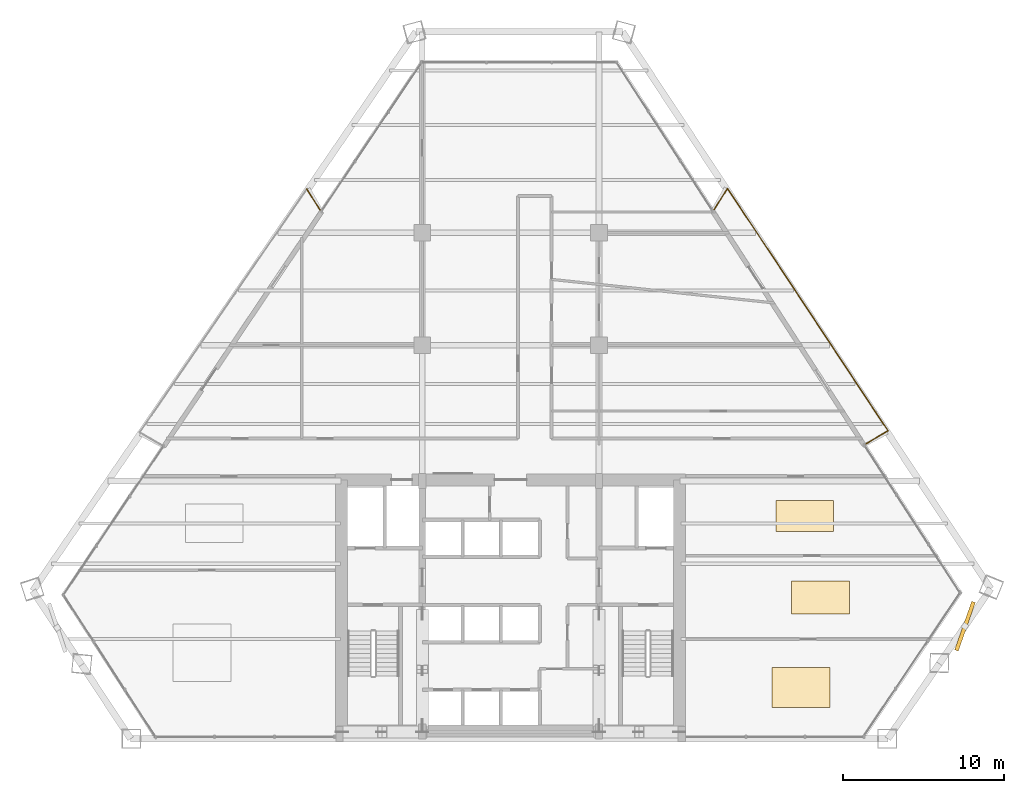
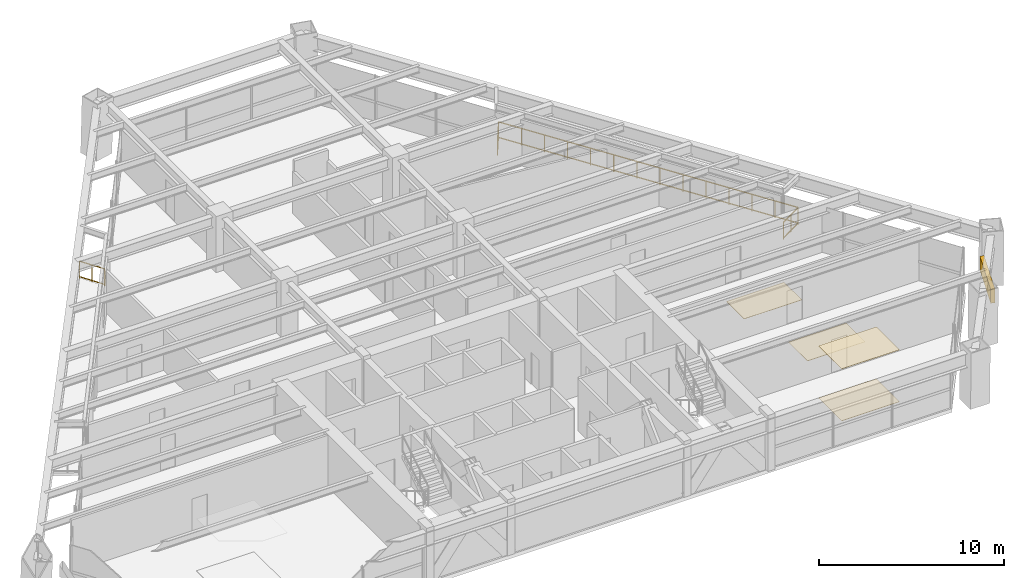
# One storey, part 14 of 14: 4 coverings, 4 railings, 1 shading device.
"""IFC4 building model written with IfcOpenShell, lengths in metres."""

from ifc_helpers import new_model, si_unit, direction, frame, origin, origin_2d, place, context, subcontext, project, spatial, rectangle, extrude, source, transform, mapped, material, layer, layer_set, type_object, type_shapes, element, save


model = new_model("IFC4")

# Units and contexts
model_context = context("Model", 3, precision=1e-05, world=origin(), true_north=direction((0.0, 1.0)))
body_context = subcontext(model_context, "Body", "Model", "MODEL_VIEW")
ifc_project = project(units=[si_unit("LENGTHUNIT", "METRE"), si_unit("AREAUNIT", "SQUARE_METRE"), si_unit("VOLUMEUNIT", "CUBIC_METRE"), si_unit("PLANEANGLEUNIT", "RADIAN"), si_unit("MASSUNIT", "GRAM", prefix="KILO")], contexts=[model_context])

# Site, building, storey
site_placement = place(None, origin())
site = spatial("IfcSite", under=ifc_project, at=site_placement, CompositionType="ELEMENT")
building_placement = place(site_placement, origin())
building = spatial("IfcBuilding", under=site, at=building_placement, Name="Varnakhor Terracotta Tower", CompositionType="ELEMENT")
storey_placement = place(building_placement, frame((0.0, 0.0, 95.10009765625)))
storey = spatial("IfcBuildingStorey", under=building, at=storey_placement, Name="L23", CompositionType="ELEMENT", Elevation=95.10009765625)

# Railings
ifc_material_1 = material(Name="Stainless Steel & Laminated Glass Guardrail", Category="steel")
railing_type = type_object("IfcRailingType", Name="RLG-LOGGIA-GUARD-1150", PredefinedType="GUARDRAIL", material=ifc_material_1)
railing_1_placement = place(storey_placement, frame((12.67529296875, 32.9453125, 0.0)))
element("IfcRailing", 1, at=railing_1_placement, inside=storey, type_object=railing_type, Name="L23 E Loggia Glass Guard 1", PredefinedType="GUARDRAIL", context=body_context, shape_type="SweptSolid", body=[
    extrude(rectangle(XDim=0.048095703125, YDim=0.048095703125, at=origin_2d()), frame((0.0, 0.0, 1.1259765625), z_axis=(0.528193883058, 0.849123796569, 0.0), x_axis=(-0.849123796569, 0.528193883058, 0.0)), (0.0, 0.0, 1.0), 1.55712890625),
    extrude(rectangle(XDim=0.048095703125, YDim=0.048095703125, at=origin_2d()), frame((0.0, 0.0, 0.10009765625), z_axis=(0.528193883058, 0.849123796569, 0.0), x_axis=(-0.849123796569, 0.528193883058, 0.0)), (0.0, 0.0, 1.0), 1.55712890625),
    extrude(rectangle(XDim=0.0419921875, YDim=0.0419921875, at=origin_2d()), origin(), (0.0, 0.0, 1.0), 1.101806640625),
    extrude(rectangle(XDim=0.0419921875, YDim=0.0419921875, at=origin_2d()), frame((0.4111328125, 0.6611328125, 0.0)), (0.0, 0.0, 1.0), 1.101806640625),
    extrude(rectangle(XDim=0.0419921875, YDim=0.0419921875, at=origin_2d()), frame((0.822509765625, 1.322265625, 0.0)), (0.0, 0.0, 1.0), 1.101806640625),
])
railing_2_placement = place(storey_placement, frame((13.497802734375, 34.267578125, 0.0)))
element("IfcRailing", 2, at=railing_2_placement, inside=storey, type_object=railing_type, Name="L23 E Loggia Glass Guard 2", PredefinedType="GUARDRAIL", context=body_context, shape_type="SweptSolid", body=[
    extrude(rectangle(XDim=0.048095703125, YDim=0.048095703125, at=origin_2d()), frame((0.0, 0.0, 1.1259765625), z_axis=(0.552179698662, -0.833725122799, 0.0), x_axis=(0.833725122799, 0.552179698662, 0.0)), (0.0, 0.0, 1.0), 18.1015625),
    extrude(rectangle(XDim=0.048095703125, YDim=0.048095703125, at=origin_2d()), frame((0.0, 0.0, 0.10009765625), z_axis=(0.552179698662, -0.833725122799, 0.0), x_axis=(0.833725122799, 0.552179698662, 0.0)), (0.0, 0.0, 1.0), 18.1015625),
    extrude(rectangle(XDim=0.0419921875, YDim=0.0419921875, at=origin_2d()), origin(), (0.0, 0.0, 1.0), 1.101806640625),
    extrude(rectangle(XDim=0.0419921875, YDim=0.0419921875, at=origin_2d()), frame((0.768798828125, -1.160888671875, 0.0)), (0.0, 0.0, 1.0), 1.101806640625),
    extrude(rectangle(XDim=0.0419921875, YDim=0.0419921875, at=origin_2d()), frame((1.537841796875, -2.32177734375, 0.0)), (0.0, 0.0, 1.0), 1.101806640625),
    extrude(rectangle(XDim=0.0419921875, YDim=0.0419921875, at=origin_2d()), frame((2.306640625, -3.482666015625, 0.0)), (0.0, 0.0, 1.0), 1.101806640625),
    extrude(rectangle(XDim=0.0419921875, YDim=0.0419921875, at=origin_2d()), frame((3.075439453125, -4.6435546875, 0.0)), (0.0, 0.0, 1.0), 1.101806640625),
    extrude(rectangle(XDim=0.0419921875, YDim=0.0419921875, at=origin_2d()), frame((3.844482421875, -5.804443359375, 0.0)), (0.0, 0.0, 1.0), 1.101806640625),
    extrude(rectangle(XDim=0.0419921875, YDim=0.0419921875, at=origin_2d()), frame((4.61328125, -6.96533203125, 0.0)), (0.0, 0.0, 1.0), 1.101806640625),
    extrude(rectangle(XDim=0.0419921875, YDim=0.0419921875, at=origin_2d()), frame((5.382080078125, -8.12646484375, 0.0)), (0.0, 0.0, 1.0), 1.101806640625),
    extrude(rectangle(XDim=0.0419921875, YDim=0.0419921875, at=origin_2d()), frame((6.15087890625, -9.287353515625, 0.0)), (0.0, 0.0, 1.0), 1.101806640625),
    extrude(rectangle(XDim=0.0419921875, YDim=0.0419921875, at=origin_2d()), frame((6.919921875, -10.4482421875, 0.0)), (0.0, 0.0, 1.0), 1.101806640625),
    extrude(rectangle(XDim=0.0419921875, YDim=0.0419921875, at=origin_2d()), frame((7.688720703125, -11.609130859375, 0.0)), (0.0, 0.0, 1.0), 1.101806640625),
    extrude(rectangle(XDim=0.0419921875, YDim=0.0419921875, at=origin_2d()), frame((8.45751953125, -12.77001953125, 0.0)), (0.0, 0.0, 1.0), 1.101806640625),
    extrude(rectangle(XDim=0.0419921875, YDim=0.0419921875, at=origin_2d()), frame((9.2265625, -13.930908203125, 0.0)), (0.0, 0.0, 1.0), 1.101806640625),
    extrude(rectangle(XDim=0.0419921875, YDim=0.0419921875, at=origin_2d()), frame((9.995361328125, -15.091796875, 0.0)), (0.0, 0.0, 1.0), 1.101806640625),
])
railing_3_placement = place(storey_placement, frame((23.4931640625, 19.17578125, 0.0)))
element("IfcRailing", 3, at=railing_3_placement, inside=storey, type_object=railing_type, Name="L23 E Loggia Glass Guard 3", PredefinedType="GUARDRAIL", context=body_context, shape_type="SweptSolid", body=[
    extrude(rectangle(XDim=0.048095703125, YDim=0.048095703125, at=origin_2d()), frame((0.0, 0.0, 1.1259765625), z_axis=(-0.861317983863, -0.508066266026, 0.0), x_axis=(0.508066266026, -0.861317983863, 0.0)), (0.0, 0.0, 1.0), 1.6005859375),
    extrude(rectangle(XDim=0.048095703125, YDim=0.048095703125, at=origin_2d()), frame((0.0, 0.0, 0.10009765625), z_axis=(-0.861317983863, -0.508066266026, 0.0), x_axis=(0.508066266026, -0.861317983863, 0.0)), (0.0, 0.0, 1.0), 1.6005859375),
    extrude(rectangle(XDim=0.0419921875, YDim=0.0419921875, at=origin_2d()), origin(), (0.0, 0.0, 1.0), 1.101806640625),
    extrude(rectangle(XDim=0.0419921875, YDim=0.0419921875, at=origin_2d()), frame((-0.689453125, -0.40673828125, 0.0)), (0.0, 0.0, 1.0), 1.101806640625),
    extrude(rectangle(XDim=0.0419921875, YDim=0.0419921875, at=origin_2d()), frame((-1.378662109375, -0.813232421875, 0.0)), (0.0, 0.0, 1.0), 1.101806640625),
])
railing_4_placement = place(storey_placement, frame((-12.69140625, 34.23291015625, 0.0)))
element("IfcRailing", 4, at=railing_4_placement, inside=storey, type_object=railing_type, Name="L23 W Loggia Glass Guard 3", PredefinedType="GUARDRAIL", context=body_context, shape_type="SweptSolid", body=[
    extrude(rectangle(XDim=0.048095703125, YDim=0.048095703125, at=origin_2d()), frame((0.0, 0.0, 1.1259765625), z_axis=(0.529491618703, -0.848315168863, 0.0), x_axis=(0.848315168863, 0.529491618703, 0.0)), (0.0, 0.0, 1.0), 1.5576171875),
    extrude(rectangle(XDim=0.048095703125, YDim=0.048095703125, at=origin_2d()), frame((0.0, 0.0, 0.10009765625), z_axis=(0.529491618703, -0.848315168863, 0.0), x_axis=(0.848315168863, 0.529491618703, 0.0)), (0.0, 0.0, 1.0), 1.5576171875),
    extrude(rectangle(XDim=0.0419921875, YDim=0.0419921875, at=origin_2d()), origin(), (0.0, 0.0, 1.0), 1.101806640625),
    extrude(rectangle(XDim=0.0419921875, YDim=0.0419921875, at=origin_2d()), frame((0.412353515625, -0.66064453125, 0.0)), (0.0, 0.0, 1.0), 1.101806640625),
    extrude(rectangle(XDim=0.0419921875, YDim=0.0419921875, at=origin_2d()), frame((0.82470703125, -1.3212890625, 0.0)), (0.0, 0.0, 1.0), 1.101806640625),
])

# Shading device
ifc_material_2 = material(Name="Extruded Architectural Terracotta Screen", Category="masonry")
shading_device_type = type_object("IfcShadingDeviceType", Name="TERRACOTTA SOLAR SCREEN E", PredefinedType="USERDEFINED", material=ifc_material_2)
shared_shape_1 = source(origin(), body_context, "Body", "SweptSolid", [
    extrude(rectangle(XDim=3.199951171875, YDim=0.239990234375, at=origin_2d()), origin(), (0.0, 0.0, 1.0), 0.919921875),
])
type_shapes(shading_device_type, [shared_shape_1])
shading_device_placement = place(storey_placement, frame((28.284912109375, 7.0078125, 1.617919921875), z_axis=(0.0, 0.0, 1.0), x_axis=(0.332589118534, 0.943071830898, 0.0)))
element("IfcShadingDevice", 5, at=shading_device_placement, inside=storey, type_object=shading_device_type, Name="L23 E Terracotta Solar Screen", ObjectType="SCREEN", PredefinedType="USERDEFINED", context=body_context, shape_type="MappedRepresentation", body=[
    mapped(shared_shape_1, transform((0.0, 0.0, 0.0), scale=1.0)),
])

# Coverings
ifc_material_3 = material(Name="Honed Riyadh Limestone Flooring", Category="masonry")
ifc_layer_1 = layer(ifc_material_3, 0.030029296875, Name="Honed Riyadh Limestone Flooring")
ifc_layer_set_1 = layer_set([ifc_layer_1], Name="Honed Riyadh Limestone Flooring")
covering_type_1 = type_object("IfcCoveringType", Name="COV-FLOOR-LIMESTONE", PredefinedType="FLOORING", material=ifc_layer_set_1)
shared_shape_2 = source(origin(), body_context, "Body", "SweptSolid", [
    extrude(rectangle(XDim=3.60009765625, YDim=2.4990234375, at=origin_2d()), origin(), (0.0, 0.0, 1.0), 0.02001953125),
])
covering_1_placement = place(storey_placement, frame((18.072021484375, 3.201904296875, 0.0), z_axis=(0.0, 0.0, 1.0), x_axis=(1.0, 0.0, 0.0)))
element("IfcCovering", 6, at=covering_1_placement, inside=storey, type_object=covering_type_1, Name="L23 Honed Stone Flooring 1", PredefinedType="FLOORING", context=body_context, shape_type="MappedRepresentation", body=[
    mapped(shared_shape_2, transform((0.0, 0.0, 0.0), scale=1.0)),
])
ifc_material_4 = material(Name="Perforated Acoustic Mineral-Fibre Ceiling", Category="gypsum")
ifc_layer_2 = layer(ifc_material_4, 0.02490234375, Name="Perforated Acoustic Mineral-Fibre Ceiling")
ifc_layer_set_2 = layer_set([ifc_layer_2], Name="Perforated Acoustic Mineral-Fibre Ceiling")
covering_type_2 = type_object("IfcCoveringType", Name="COV-CEILING-ACOUSTIC", PredefinedType="CEILING", material=ifc_layer_set_2)
shared_shape_3 = source(origin(), body_context, "Body", "SweptSolid", [
    extrude(rectangle(XDim=3.60009765625, YDim=2.4990234375, at=origin_2d()), origin(), (0.0, 0.0, 1.0), 0.02392578125),
])
covering_2_placement = place(storey_placement, frame((18.072021484375, 3.201904296875, 3.426025390625), z_axis=(0.0, 0.0, 1.0), x_axis=(1.0, 0.0, 0.0)))
element("IfcCovering", 7, at=covering_2_placement, inside=storey, type_object=covering_type_2, Name="L23 Acoustic Ceiling Panel 1", PredefinedType="CEILING", context=body_context, shape_type="MappedRepresentation", body=[
    mapped(shared_shape_3, transform((0.0, 0.0, 0.0), scale=1.0)),
])
shared_shape_4 = source(origin(), body_context, "Body", "SweptSolid", [
    extrude(rectangle(XDim=3.60009765625, YDim=2.06103515625, at=origin_2d()), origin(), (0.0, 0.0, 1.0), 0.02001953125),
])
covering_3_placement = place(storey_placement, frame((19.2890625, 8.800048828125, 0.0), z_axis=(0.0, 0.0, 1.0), x_axis=(1.0, 0.0, 0.0)))
element("IfcCovering", 8, at=covering_3_placement, inside=storey, type_object=covering_type_1, Name="L23 Honed Stone Flooring 3", PredefinedType="FLOORING", context=body_context, shape_type="MappedRepresentation", body=[
    mapped(shared_shape_4, transform((0.0, 0.0, 0.0), scale=1.0)),
])
shared_shape_5 = source(origin(), body_context, "Body", "SweptSolid", [
    extrude(rectangle(XDim=3.60009765625, YDim=1.912109375, at=origin_2d()), origin(), (0.0, 0.0, 1.0), 0.02001953125),
])
covering_4_placement = place(storey_placement, frame((18.306884765625, 13.864013671875, 0.0), z_axis=(0.0, 0.0, 1.0), x_axis=(1.0, 0.0, 0.0)))
element("IfcCovering", 9, at=covering_4_placement, inside=storey, type_object=covering_type_1, Name="L23 Honed Stone Flooring 5", PredefinedType="FLOORING", context=body_context, shape_type="MappedRepresentation", body=[
    mapped(shared_shape_5, transform((0.0, 0.0, 0.0), scale=1.0)),
])

save(model, "model.ifc")
